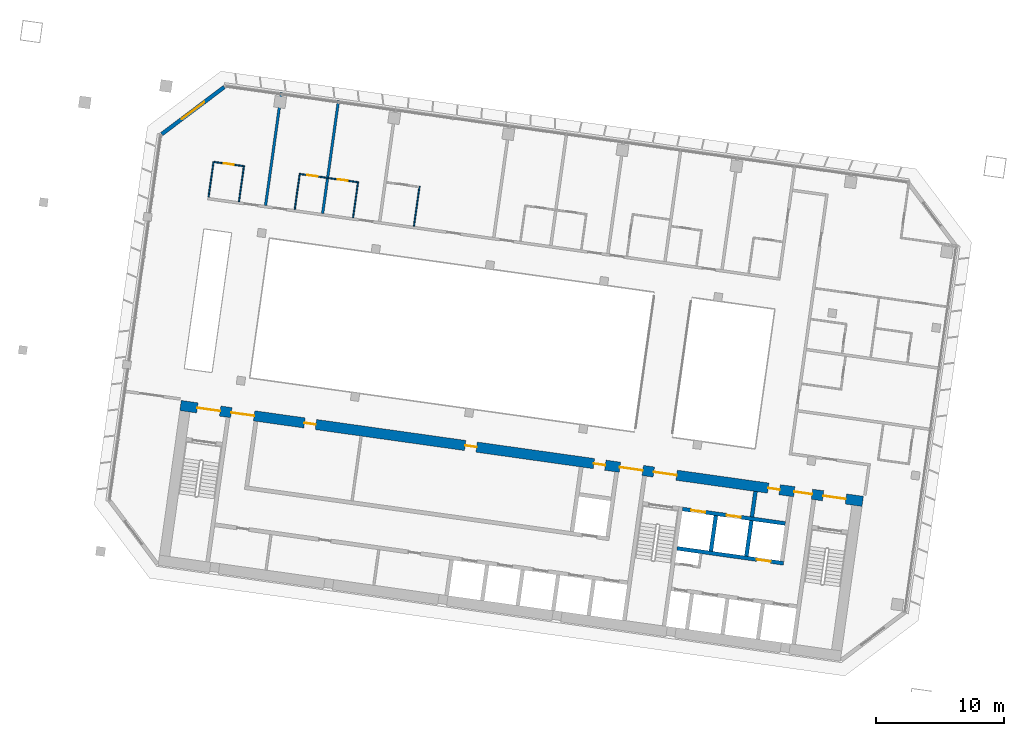
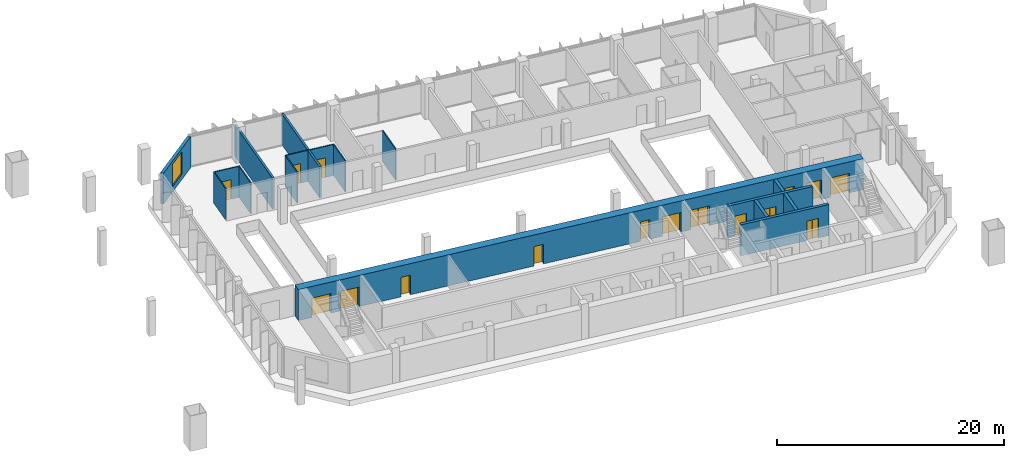
# One storey, part 17 of 26: 16 doors, 16 walls, 1 window, 17 openings.
"""IFC4 building model written with IfcOpenShell, lengths in metres."""

from ifc_helpers import new_model, si_unit, direction, frame, frame_2d, origin, place, context, subcontext, project, spatial, rectangle, extrude, material, layer, layer_set, type_object, element, fill, save


model = new_model("IFC4")

# Units and contexts
model_context = context("Model", 3, precision=1e-05, world=origin(), true_north=direction((0.0, 1.0)))
body_context = subcontext(model_context, "Body", "Model", "MODEL_VIEW")
ifc_project = project(units=[si_unit("LENGTHUNIT", "METRE"), si_unit("AREAUNIT", "SQUARE_METRE"), si_unit("VOLUMEUNIT", "CUBIC_METRE"), si_unit("PLANEANGLEUNIT", "RADIAN"), si_unit("MASSUNIT", "GRAM", prefix="KILO")], contexts=[model_context])

# Site, building, storey
site_placement = place(None, origin())
site = spatial("IfcSite", under=ifc_project, at=site_placement, CompositionType="ELEMENT")
building_placement = place(site_placement, origin())
building = spatial("IfcBuilding", under=site, at=building_placement, Name="Mirante Cascada Hotel Towers", CompositionType="ELEMENT")
storey_placement = place(building_placement, frame((0.0, 0.0, 98.7)))
storey = spatial("IfcBuildingStorey", under=building, at=storey_placement, Name="L21", CompositionType="ELEMENT", Elevation=98.7)

# Walls
ifc_material_1 = material(Name="Fire-rated plasterboard on metal studs")
ifc_layer_1 = layer(ifc_material_1, 0.2)
ifc_layer_set_1 = layer_set([ifc_layer_1], Name="Compartment wall 200 EI 120")
wall_type_1 = type_object("IfcWallType", Name="Compartment wall 200 EI 120", PredefinedType="PARTITIONING", material=ifc_layer_set_1)
wall_1_placement = place(storey_placement, frame((-76.374, 23.7042, 0.0), z_axis=(0.0, 0.0, 1.0), x_axis=(-0.1391684, -0.9902687, 0.0)))
element("IfcWall", 1, at=wall_1_placement, inside=storey, type_object=wall_type_1, Name="Wall 1-L21-43", PredefinedType="PARTITIONING", context=body_context, shape_type="SweptSolid", body=[
    extrude(rectangle(XDim=8.9, YDim=0.2, at=frame_2d((4.45, 0.0))), origin(), (0.0, 0.0, 1.0), 3.35),
])
wall_2_placement = place(storey_placement, frame((-80.8302, 24.3304, 0.0), z_axis=(0.0, 0.0, 1.0), x_axis=(-0.13917, -0.9902685, 0.0)))
element("IfcWall", 2, at=wall_2_placement, inside=storey, type_object=wall_type_1, Name="Wall 1-L21-45", PredefinedType="PARTITIONING", context=body_context, shape_type="SweptSolid", body=[
    extrude(rectangle(XDim=8.8999, YDim=0.2, at=frame_2d((4.45, 0.0))), origin(), (0.0, 0.0, 1.0), 3.35),
])
ifc_material_2 = material(Name="Masonry block", Category="masonry")
ifc_layer_2 = layer(ifc_material_2, 0.3)
ifc_layer_set_2 = layer_set([ifc_layer_2], Name="Core wall 300 block EI 120")
wall_type_2 = type_object("IfcWallType", Name="Core wall 300 block EI 120", PredefinedType="PARTITIONING", material=ifc_layer_set_2)
wall_3_placement = place(storey_placement, frame((-44.0843, -8.8061, 0.0), z_axis=(0.0, 0.0, 1.0), x_axis=(0.1391951, 0.990265, 0.0)))
element("IfcWall", 3, at=wall_3_placement, inside=storey, type_object=wall_type_2, Name="Core wall partition T1 L21 1", PredefinedType="PARTITIONING", context=body_context, shape_type="SweptSolid", body=[
    extrude(rectangle(XDim=2.0001, YDim=0.3, at=frame_2d((1.0001, 0.0))), origin(), (0.0, 0.0, 1.0), 3.35),
])

# Wall, openings, doors
ifc_material_3 = material(Name="Plasterboard on metal studs")
ifc_layer_3 = layer(ifc_material_3, 0.1)
ifc_layer_set_3 = layer_set([ifc_layer_3], Name="Partition 100")
wall_type_3 = type_object("IfcWallType", Name="Partition 100", PredefinedType="PARTITIONING", material=ifc_layer_set_3)
wall_4_placement = place(storey_placement, frame((-74.7968, 17.3226, 0.0), z_axis=(0.0, 0.0, 1.0), x_axis=(-0.9902682, 0.139172, 0.0)))
wall_4 = element("IfcWall", 4, at=wall_4_placement, inside=storey, type_object=wall_type_3, Name="Wall 1-L21-14", PredefinedType="PARTITIONING", context=body_context, shape_type="SweptSolid", body=[
    extrude(rectangle(XDim=4.6999, YDim=0.1, at=frame_2d((2.35, 0.0))), origin(), (0.0, 0.0, 1.0), 3.35),
])
opening_1_placement = place(wall_4_placement, frame((0.85, 0.0, 0.0)))
opening_1 = element("IfcOpeningElement", 5, at=opening_1_placement, cuts=wall_4, Name="Opening D1-L21-17", PredefinedType="OPENING", context=body_context, shape_type="SweptSolid", body=[
    extrude(rectangle(XDim=0.8, YDim=2.1, at=frame_2d((0.4, 1.05))), frame((0.0, 0.05, 0.0), z_axis=(0.0, -1.0, 0.0), x_axis=(1.0, 0.0, 0.0)), (0.0, 0.0, 1.0), 0.1),
])
opening_2_placement = place(wall_4_placement, frame((3.25, 0.0, 0.0)))
opening_2 = element("IfcOpeningElement", 6, at=opening_2_placement, cuts=wall_4, Name="Opening D1-L21-18", PredefinedType="OPENING", context=body_context, shape_type="SweptSolid", body=[
    extrude(rectangle(XDim=0.8, YDim=2.1, at=frame_2d((0.4, 1.05))), frame((0.0, 0.05, 0.0), z_axis=(0.0, -1.0, 0.0), x_axis=(1.0, 0.0, 0.0)), (0.0, 0.0, 1.0), 0.1),
])
ifc_material_4 = material(Name="Timber door leaf", Category="wood")
door_type_1 = type_object("IfcDoorType", Name="Bathroom door DG4 800x2100", OperationType="SINGLE_SWING_LEFT", PredefinedType="DOOR", material=ifc_material_4)
door_1_placement = place(opening_1_placement, frame((0.8, 0.0, 0.0), z_axis=(0.0, 0.0, 1.0), x_axis=(-1.0, 0.0, 0.0)))
door_1 = element("IfcDoor", 7, at=door_1_placement, inside=storey, type_object=door_type_1, Name="Door D1-L21-17", OperationType="SINGLE_SWING_RIGHT", OverallHeight=2.1, OverallWidth=0.8, PredefinedType="DOOR", context=body_context, shape_type="SweptSolid", body=[
    extrude(rectangle(XDim=0.8, YDim=2.1, at=frame_2d((0.4, 1.05))), frame((0.0, 0.025, 0.0), z_axis=(0.0, -1.0, 0.0), x_axis=(1.0, 0.0, 0.0)), (0.0, 0.0, 1.0), 0.05),
])
fill(opening_1, door_1)
door_2_placement = place(opening_2_placement, frame((0.8, 0.0, 0.0), z_axis=(0.0, 0.0, 1.0), x_axis=(-1.0, 0.0, 0.0)))
door_2 = element("IfcDoor", 8, at=door_2_placement, inside=storey, type_object=door_type_1, Name="Door D1-L21-18", OperationType="SINGLE_SWING_RIGHT", OverallHeight=2.1, OverallWidth=0.8, PredefinedType="DOOR", context=body_context, shape_type="SweptSolid", body=[
    extrude(rectangle(XDim=0.8, YDim=2.1, at=frame_2d((0.4, 1.05))), frame((0.0, 0.025, 0.0), z_axis=(0.0, -1.0, 0.0), x_axis=(1.0, 0.0, 0.0)), (0.0, 0.0, 1.0), 0.05),
])
fill(opening_2, door_2)

# Wall, opening, door
wall_5_placement = place(storey_placement, frame((-86.0858, 18.9091, 0.0), z_axis=(0.0, 0.0, 1.0), x_axis=(0.9902678, -0.1391749, 0.0)))
wall_5 = element("IfcWall", 9, at=wall_5_placement, inside=storey, type_object=wall_type_3, Name="Wall 1-L21-15", PredefinedType="PARTITIONING", context=body_context, shape_type="SweptSolid", body=[
    extrude(rectangle(XDim=2.3, YDim=0.1, at=frame_2d((1.15, 0.0))), origin(), (0.0, 0.0, 1.0), 3.35),
])
opening_3_placement = place(wall_5_placement, frame((0.75, 0.0, 0.0)))
opening_3 = element("IfcOpeningElement", 10, at=opening_3_placement, cuts=wall_5, Name="Opening D1-L21-19", PredefinedType="OPENING", context=body_context, shape_type="SweptSolid", body=[
    extrude(rectangle(XDim=0.8, YDim=2.1, at=frame_2d((0.4, 1.05))), frame((0.0, 0.05, 0.0), z_axis=(0.0, -1.0, 0.0), x_axis=(1.0, 0.0, 0.0)), (0.0, 0.0, 1.0), 0.1),
])
door_3_placement = place(opening_3_placement, origin())
door_3 = element("IfcDoor", 11, at=door_3_placement, inside=storey, type_object=door_type_1, Name="Door D1-L21-19", OperationType="SINGLE_SWING_LEFT", OverallHeight=2.1, OverallWidth=0.8, PredefinedType="DOOR", context=body_context, shape_type="SweptSolid", body=[
    extrude(rectangle(XDim=0.8, YDim=2.1, at=frame_2d((0.4, 1.05))), frame((0.0, 0.025, 0.0), z_axis=(0.0, -1.0, 0.0), x_axis=(1.0, 0.0, 0.0)), (0.0, 0.0, 1.0), 0.05),
])
fill(opening_3, door_3)

# Walls
wall_6_placement = place(storey_placement, frame((-70.4827, 13.8887, 0.0), z_axis=(0.0, 0.0, 1.0), x_axis=(0.1391721, 0.9902682, 0.0)))
element("IfcWall", 12, at=wall_6_placement, inside=storey, type_object=wall_type_3, Name="Wall 1-L21-40", PredefinedType="PARTITIONING", context=body_context, shape_type="SweptSolid", body=[
    extrude(rectangle(XDim=3.1501, YDim=0.1, at=frame_2d((1.575, 0.0))), origin(), (0.0, 0.0, 1.0), 3.35),
])
for number, where, z_axis, x_axis, name in (
    (13, (-75.236, 14.5568, 0.0), (0.0, 0.0, 1.0), (0.1391657, 0.9902691, 0.0), "Wall 1-L21-42"),
    (14, (-79.7912, 15.197, 0.0), (0.0, 0.0, 1.0), (0.1391657, 0.9902691, 0.0), "Wall 1-L21-44"),
):
    element("IfcWall", number, at=place(storey_placement, frame(where, z_axis=z_axis, x_axis=x_axis)), inside=storey, type_object=wall_type_3, Name=name, PredefinedType="PARTITIONING", context=body_context, shape_type="SweptSolid", body=[
        extrude(rectangle(XDim=2.75, YDim=0.1, at=frame_2d((1.375, 0.0))), origin(), (0.0, 0.0, 1.0), 3.35),
    ])
wall_7_placement = place(storey_placement, frame((-84.1484, 15.8093, 0.0), z_axis=(0.0, 0.0, 1.0), x_axis=(0.1391909, 0.9902656, 0.0)))
element("IfcWall", 15, at=wall_7_placement, inside=storey, type_object=wall_type_3, Name="Wall 1-L21-46", PredefinedType="PARTITIONING", context=body_context, shape_type="SweptSolid", body=[
    extrude(rectangle(XDim=2.85, YDim=0.1, at=frame_2d((1.425, 0.0))), origin(), (0.0, 0.0, 1.0), 3.35),
])
wall_8_placement = place(storey_placement, frame((-86.1326, 18.9359, 0.0), z_axis=(0.0, 0.0, 1.0), x_axis=(-0.139173, -0.9902681, 0.0)))
element("IfcWall", 16, at=wall_8_placement, inside=storey, type_object=wall_type_3, Name="Wall 1-L21-47", PredefinedType="PARTITIONING", context=body_context, shape_type="SweptSolid", body=[
    extrude(rectangle(XDim=2.7901, YDim=0.1, at=frame_2d((1.395, 0.0))), origin(), (0.0, 0.0, 1.0), 3.35),
])

# Wall, opening, window
ifc_material_5 = material(Name="Precast concrete C40/50", Category="concrete")
ifc_layer_4 = layer(ifc_material_5, 0.3)
ifc_layer_set_4 = layer_set([ifc_layer_4], Name="Precast concrete C40/50 cladding wall 300")
wall_type_4 = type_object("IfcWallType", Name="Precast concrete C40/50 cladding wall 300", PredefinedType="STANDARD", material=ifc_layer_set_4)
wall_9_placement = place(storey_placement, frame((-90.1795, 21.0817, 0.0), z_axis=(0.0, 0.0, 1.0), x_axis=(0.7986362, 0.6018141, 0.0)))
wall_9 = element("IfcWall", 17, at=wall_9_placement, inside=storey, type_object=wall_type_4, Name="Corner cladding wall T1 L21 outer front", PredefinedType="STANDARD", context=body_context, shape_type="SweptSolid", body=[
    extrude(rectangle(XDim=6.1157, YDim=0.3, at=frame_2d((3.0578, 0.0))), origin(), (0.0, 0.0, 1.0), 3.35),
])
opening_4_placement = place(wall_9_placement, frame((1.9578, 0.0, 0.6)))
opening_4 = element("IfcOpeningElement", 18, at=opening_4_placement, cuts=wall_9, Name="Opening W1-21-02", PredefinedType="OPENING", context=body_context, shape_type="SweptSolid", body=[
    extrude(rectangle(XDim=2.2, YDim=2.4, at=frame_2d((1.1, 1.2))), frame((0.0, 0.15, 0.0), z_axis=(0.0, -1.0, 0.0), x_axis=(1.0, 0.0, 0.0)), (0.0, 0.0, 1.0), 0.3),
])
ifc_material_6 = material(Name="Aluminium frame with clear double glazing", Category="aluminium")
window_type = type_object("IfcWindowType", Name="Corner suite window 2200x2400", PartitioningType="DOUBLE_PANEL_VERTICAL", PredefinedType="WINDOW", material=ifc_material_6)
window_placement = place(opening_4_placement, origin())
window = element("IfcWindow", 19, at=window_placement, inside=storey, type_object=window_type, Name="Window W1-21-02", OverallHeight=2.4, OverallWidth=2.2, PartitioningType="SINGLE_PANEL", PredefinedType="WINDOW", context=body_context, shape_type="SweptSolid", body=[
    extrude(rectangle(XDim=2.2, YDim=2.4, at=frame_2d((1.1, 1.2))), frame((0.0, 0.03, 0.0), z_axis=(0.0, -1.0, 0.0), x_axis=(1.0, 0.0, 0.0)), (0.0, 0.0, 1.0), 0.06),
])
fill(opening_4, window)

# Wall, opening, door
ifc_material_7 = material(Name="Concrete C50/60", Category="concrete")
ifc_layer_5 = layer(ifc_material_7, 0.3)
ifc_layer_set_5 = layer_set([ifc_layer_5], Name="RC core wall 300 C50/60")
wall_type_5 = type_object("IfcWallType", Name="RC core wall 300 C50/60", PredefinedType="SHEAR", material=ifc_layer_set_5)
wall_10_placement = place(storey_placement, frame((-41.6153, -12.435, 0.0), z_axis=(0.0, 0.0, 1.0), x_axis=(-0.9902691, 0.139166, 0.0)))
wall_10 = element("IfcWall", 20, at=wall_10_placement, inside=storey, type_object=wall_type_5, Name="Core wall T1:L21:13", PredefinedType="SHEAR", context=body_context, shape_type="SweptSolid", body=[
    extrude(rectangle(XDim=8.4, YDim=0.3, at=frame_2d((4.2, 0.0))), origin(), (0.0, 0.0, 1.0), 3.35),
])
opening_5_placement = place(wall_10_placement, frame((1.0, 0.0, 0.0)))
opening_5 = element("IfcOpeningElement", 21, at=opening_5_placement, cuts=wall_10, Name="Opening LD", PredefinedType="OPENING", context=body_context, shape_type="SweptSolid", body=[
    extrude(rectangle(XDim=1.1, YDim=2.1, at=frame_2d((0.55, 1.05))), frame((0.0, 0.15, 0.0), z_axis=(0.0, -1.0, 0.0), x_axis=(1.0, 0.0, 0.0)), (0.0, 0.0, 1.0), 0.3),
])
ifc_material_8 = material(Name="Stainless steel", Category="steel")
door_type_2 = type_object("IfcDoorType", Name="Lift landing door 1100x2100 EI 120", OperationType="DOUBLE_DOOR_SLIDING", PredefinedType="DOOR", material=ifc_material_8)
door_4_placement = place(opening_5_placement, origin())
door_4 = element("IfcDoor", 22, at=door_4_placement, inside=storey, type_object=door_type_2, Name="Lift landing door HR1-4 L21", OperationType="DOUBLE_DOOR_SLIDING", OverallHeight=2.1, OverallWidth=1.1, PredefinedType="DOOR", context=body_context, shape_type="SweptSolid", body=[
    extrude(rectangle(XDim=0.545, YDim=2.1, at=frame_2d((0.2725, 1.05))), frame((0.0, 0.025, 0.0), z_axis=(0.0, -1.0, 0.0), x_axis=(1.0, 0.0, 0.0)), (0.0, 0.0, 1.0), 0.05),
    extrude(rectangle(XDim=0.545, YDim=2.1, at=frame_2d((0.8275, 1.05))), frame((0.0, 0.025, 0.0), z_axis=(0.0, -1.0, 0.0), x_axis=(1.0, 0.0, 0.0)), (0.0, 0.0, 1.0), 0.05),
])
fill(opening_5, door_4)

# Wall, openings, doors
wall_11_placement = place(storey_placement, frame((-41.481, -9.3234, 0.0), z_axis=(0.0, 0.0, 1.0), x_axis=(-0.9902679, 0.1391741, 0.0)))
wall_11 = element("IfcWall", 23, at=wall_11_placement, inside=storey, type_object=wall_type_5, Name="Core wall T1:L21:14", PredefinedType="SHEAR", context=body_context, shape_type="SweptSolid", body=[
    extrude(rectangle(XDim=8.0999, YDim=0.3, at=frame_2d((4.05, 0.0))), origin(), (0.0, 0.0, 1.0), 3.35),
])
opening_6_placement = place(wall_11_placement, frame((3.5, 0.0, 0.0)))
opening_6 = element("IfcOpeningElement", 24, at=opening_6_placement, cuts=wall_11, Name="Opening LD", PredefinedType="OPENING", context=body_context, shape_type="SweptSolid", body=[
    extrude(rectangle(XDim=1.1, YDim=2.1, at=frame_2d((0.55, 1.05))), frame((0.0, 0.15, 0.0), z_axis=(0.0, -1.0, 0.0), x_axis=(1.0, 0.0, 0.0)), (0.0, 0.0, 1.0), 0.3),
])
opening_7_placement = place(wall_11_placement, frame((6.3, 0.0, 0.0)))
opening_7 = element("IfcOpeningElement", 25, at=opening_7_placement, cuts=wall_11, Name="Opening LD", PredefinedType="OPENING", context=body_context, shape_type="SweptSolid", body=[
    extrude(rectangle(XDim=1.1, YDim=2.1, at=frame_2d((0.55, 1.05))), frame((0.0, 0.15, 0.0), z_axis=(0.0, -1.0, 0.0), x_axis=(1.0, 0.0, 0.0)), (0.0, 0.0, 1.0), 0.3),
])
door_5_placement = place(opening_6_placement, origin())
door_5 = element("IfcDoor", 26, at=door_5_placement, inside=storey, type_object=door_type_2, Name="Lift landing door FF1 L21", OperationType="DOUBLE_DOOR_SLIDING", OverallHeight=2.1, OverallWidth=1.1, PredefinedType="DOOR", context=body_context, shape_type="SweptSolid", body=[
    extrude(rectangle(XDim=0.545, YDim=2.1, at=frame_2d((0.2725, 1.05))), frame((0.0, 0.025, 0.0), z_axis=(0.0, -1.0, 0.0), x_axis=(1.0, 0.0, 0.0)), (0.0, 0.0, 1.0), 0.05),
    extrude(rectangle(XDim=0.545, YDim=2.1, at=frame_2d((0.8275, 1.05))), frame((0.0, 0.025, 0.0), z_axis=(0.0, -1.0, 0.0), x_axis=(1.0, 0.0, 0.0)), (0.0, 0.0, 1.0), 0.05),
])
fill(opening_6, door_5)
door_6_placement = place(opening_7_placement, origin())
door_6 = element("IfcDoor", 27, at=door_6_placement, inside=storey, type_object=door_type_2, Name="Lift landing door FF2 L21", OperationType="DOUBLE_DOOR_SLIDING", OverallHeight=2.1, OverallWidth=1.1, PredefinedType="DOOR", context=body_context, shape_type="SweptSolid", body=[
    extrude(rectangle(XDim=0.545, YDim=2.1, at=frame_2d((0.2725, 1.05))), frame((0.0, 0.025, 0.0), z_axis=(0.0, -1.0, 0.0), x_axis=(1.0, 0.0, 0.0)), (0.0, 0.0, 1.0), 0.05),
    extrude(rectangle(XDim=0.545, YDim=2.1, at=frame_2d((0.8275, 1.05))), frame((0.0, 0.025, 0.0), z_axis=(0.0, -1.0, 0.0), x_axis=(1.0, 0.0, 0.0)), (0.0, 0.0, 1.0), 0.05),
])
fill(opening_7, door_6)

# Walls
for number, where, z_axis, x_axis, name in (
    (28, (-44.5157, -11.8759, 0.0), (0.0, 0.0, 1.0), (0.139181, 0.990267, 0.0), "Core wall T1:L21:18"),
    (29, (-47.2885, -11.4862, 0.0), (0.0, 0.0, 1.0), (0.139181, 0.990267, 0.0), "Core wall T1:L21:19"),
):
    element("IfcWall", number, at=place(storey_placement, frame(where, z_axis=z_axis, x_axis=x_axis)), inside=storey, type_object=wall_type_5, Name=name, PredefinedType="SHEAR", context=body_context, shape_type="SweptSolid", body=[
        extrude(rectangle(XDim=2.8, YDim=0.3, at=frame_2d((1.4, 0.0))), origin(), (0.0, 0.0, 1.0), 3.35),
    ])

# Wall, openings, doors
ifc_material_9 = material(Name="Concrete C50/60", Category="concrete")
ifc_layer_6 = layer(ifc_material_9, 0.8)
ifc_layer_set_6 = layer_set([ifc_layer_6], Name="RC core wall 800 C50/60")
wall_type_6 = type_object("IfcWallType", Name="RC core wall 800 C50/60", PredefinedType="SHEAR", material=ifc_layer_set_6)
wall_12_placement = place(storey_placement, frame((-35.432, -7.5985, 0.0), z_axis=(0.0, 0.0, 1.0), x_axis=(-0.9902681, 0.1391729, 0.0)))
wall_12 = element("IfcWall", 30, at=wall_12_placement, inside=storey, type_object=wall_type_6, Name="Core wall T1:L21:2", PredefinedType="SHEAR", context=body_context, shape_type="SweptSolid", body=[
    extrude(rectangle(XDim=53.8, YDim=0.8, at=frame_2d((26.9, 0.0))), origin(), (0.0, 0.0, 1.0), 3.35),
])
opening_8_placement = place(wall_12_placement, frame((1.325, 0.0, 0.0)))
opening_8 = element("IfcOpeningElement", 31, at=opening_8_placement, cuts=wall_12, Name="Opening D1-21-C14", PredefinedType="OPENING", context=body_context, shape_type="SweptSolid", body=[
    extrude(rectangle(XDim=1.8, YDim=2.1, at=frame_2d((0.9, 1.05))), frame((0.0, 0.4, 0.0), z_axis=(0.0, -1.0, 0.0), x_axis=(1.0, 0.0, 0.0)), (0.0, 0.0, 1.0), 0.8),
])
opening_9_placement = place(wall_12_placement, frame((14.675, 0.0, 0.0)))
opening_9 = element("IfcOpeningElement", 32, at=opening_9_placement, cuts=wall_12, Name="Opening D1-21-C16", PredefinedType="OPENING", context=body_context, shape_type="SweptSolid", body=[
    extrude(rectangle(XDim=1.8, YDim=2.1, at=frame_2d((0.9, 1.05))), frame((0.0, 0.4, 0.0), z_axis=(0.0, -1.0, 0.0), x_axis=(1.0, 0.0, 0.0)), (0.0, 0.0, 1.0), 0.8),
])
opening_10_placement = place(wall_12_placement, frame((50.675, 0.0, 0.0)))
opening_10 = element("IfcOpeningElement", 33, at=opening_10_placement, cuts=wall_12, Name="Opening D1-21-C18", PredefinedType="OPENING", context=body_context, shape_type="SweptSolid", body=[
    extrude(rectangle(XDim=1.8, YDim=2.1, at=frame_2d((0.9, 1.05))), frame((0.0, 0.4, 0.0), z_axis=(0.0, -1.0, 0.0), x_axis=(1.0, 0.0, 0.0)), (0.0, 0.0, 1.0), 0.8),
])
opening_11_placement = place(wall_12_placement, frame((4.0, 0.0, 0.0)))
opening_11 = element("IfcOpeningElement", 34, at=opening_11_placement, cuts=wall_12, Name="Opening D1-21-C19", PredefinedType="OPENING", context=body_context, shape_type="SweptSolid", body=[
    extrude(rectangle(XDim=1.4, YDim=2.1, at=frame_2d((0.7, 1.05))), frame((0.0, 0.4, 0.0), z_axis=(0.0, -1.0, 0.0), x_axis=(1.0, 0.0, 0.0)), (0.0, 0.0, 1.0), 0.8),
])
opening_12_placement = place(wall_12_placement, frame((17.35, 0.0, 0.0)))
opening_12 = element("IfcOpeningElement", 35, at=opening_12_placement, cuts=wall_12, Name="Opening D1-21-C20", PredefinedType="OPENING", context=body_context, shape_type="SweptSolid", body=[
    extrude(rectangle(XDim=1.8, YDim=2.1, at=frame_2d((0.9, 1.05))), frame((0.0, 0.4, 0.0), z_axis=(0.0, -1.0, 0.0), x_axis=(1.0, 0.0, 0.0)), (0.0, 0.0, 1.0), 0.8),
])
opening_13_placement = place(wall_12_placement, frame((48.0, 0.0, 0.0)))
opening_13 = element("IfcOpeningElement", 36, at=opening_13_placement, cuts=wall_12, Name="Opening D1-21-C21", PredefinedType="OPENING", context=body_context, shape_type="SweptSolid", body=[
    extrude(rectangle(XDim=1.8, YDim=2.1, at=frame_2d((0.9, 1.05))), frame((0.0, 0.4, 0.0), z_axis=(0.0, -1.0, 0.0), x_axis=(1.0, 0.0, 0.0)), (0.0, 0.0, 1.0), 0.8),
])
opening_14_placement = place(wall_12_placement, frame((6.55, 0.0, 0.0)))
opening_14 = element("IfcOpeningElement", 37, at=opening_14_placement, cuts=wall_12, Name="Opening D1-21-C24", PredefinedType="OPENING", context=body_context, shape_type="SweptSolid", body=[
    extrude(rectangle(XDim=0.9, YDim=2.1, at=frame_2d((0.45, 1.05))), frame((0.0, 0.4, 0.0), z_axis=(0.0, -1.0, 0.0), x_axis=(1.0, 0.0, 0.0)), (0.0, 0.0, 1.0), 0.8),
])
opening_15_placement = place(wall_12_placement, frame((20.3, 0.0, 0.0)))
opening_15 = element("IfcOpeningElement", 38, at=opening_15_placement, cuts=wall_12, Name="Opening D1-21-C28", PredefinedType="OPENING", context=body_context, shape_type="SweptSolid", body=[
    extrude(rectangle(XDim=0.9, YDim=2.1, at=frame_2d((0.45, 1.05))), frame((0.0, 0.4, 0.0), z_axis=(0.0, -1.0, 0.0), x_axis=(1.0, 0.0, 0.0)), (0.0, 0.0, 1.0), 0.8),
])
opening_16_placement = place(wall_12_placement, frame((30.45, 0.0, 0.0)))
opening_16 = element("IfcOpeningElement", 39, at=opening_16_placement, cuts=wall_12, Name="Opening D1-21-C29", PredefinedType="OPENING", context=body_context, shape_type="SweptSolid", body=[
    extrude(rectangle(XDim=0.9, YDim=2.1, at=frame_2d((0.45, 1.05))), frame((0.0, 0.4, 0.0), z_axis=(0.0, -1.0, 0.0), x_axis=(1.0, 0.0, 0.0)), (0.0, 0.0, 1.0), 0.8),
])
opening_17_placement = place(wall_12_placement, frame((43.125, 0.0, 0.0)))
opening_17 = element("IfcOpeningElement", 40, at=opening_17_placement, cuts=wall_12, Name="Opening D1-21-C30", PredefinedType="OPENING", context=body_context, shape_type="SweptSolid", body=[
    extrude(rectangle(XDim=0.9, YDim=2.1, at=frame_2d((0.45, 1.05))), frame((0.0, 0.4, 0.0), z_axis=(0.0, -1.0, 0.0), x_axis=(1.0, 0.0, 0.0)), (0.0, 0.0, 1.0), 0.8),
])
ifc_material_10 = material(Name="Hollow metal fire door leaf")
door_type_3 = type_object("IfcDoorType", Name="Double fire door 1400x2100 FD60", OperationType="DOUBLE_DOOR_SINGLE_SWING", PredefinedType="DOOR", material=ifc_material_10)
door_7_placement = place(opening_11_placement, frame((1.4, 0.0, 0.0), z_axis=(0.0, 0.0, 1.0), x_axis=(-1.0, 0.0, 0.0)))
door_7 = element("IfcDoor", 41, at=door_7_placement, inside=storey, type_object=door_type_3, Name="Exit door to gallery T1 L21 19", OperationType="DOUBLE_DOOR_SINGLE_SWING", OverallHeight=2.1, OverallWidth=1.4, PredefinedType="DOOR", context=body_context, shape_type="SweptSolid", body=[
    extrude(rectangle(XDim=0.695, YDim=2.1, at=frame_2d((0.3475, 1.05))), frame((0.0, 0.025, 0.0), z_axis=(0.0, -1.0, 0.0), x_axis=(1.0, 0.0, 0.0)), (0.0, 0.0, 1.0), 0.05),
    extrude(rectangle(XDim=0.695, YDim=2.1, at=frame_2d((1.0525, 1.05))), frame((0.0, 0.025, 0.0), z_axis=(0.0, -1.0, 0.0), x_axis=(1.0, 0.0, 0.0)), (0.0, 0.0, 1.0), 0.05),
])
fill(opening_11, door_7)
ifc_material_11 = material(Name="Hollow metal fire door leaf")
door_type_4 = type_object("IfcDoorType", Name="Double fire door 1800x2100 FD60", OperationType="DOUBLE_DOOR_SINGLE_SWING", PredefinedType="DOOR", material=ifc_material_11)
door_8_placement = place(opening_8_placement, origin())
door_8 = element("IfcDoor", 42, at=door_8_placement, inside=storey, type_object=door_type_4, Name="Exit door to gallery T1 L21 14", OperationType="DOUBLE_DOOR_SINGLE_SWING", OverallHeight=2.1, OverallWidth=1.8, PredefinedType="DOOR", context=body_context, shape_type="SweptSolid", body=[
    extrude(rectangle(XDim=0.895, YDim=2.1, at=frame_2d((0.4475, 1.05))), frame((0.0, 0.025, 0.0), z_axis=(0.0, -1.0, 0.0), x_axis=(1.0, 0.0, 0.0)), (0.0, 0.0, 1.0), 0.05),
    extrude(rectangle(XDim=0.895, YDim=2.1, at=frame_2d((1.3525, 1.05))), frame((0.0, 0.025, 0.0), z_axis=(0.0, -1.0, 0.0), x_axis=(1.0, 0.0, 0.0)), (0.0, 0.0, 1.0), 0.05),
])
fill(opening_8, door_8)
door_9_placement = place(opening_9_placement, origin())
door_9 = element("IfcDoor", 43, at=door_9_placement, inside=storey, type_object=door_type_4, Name="Exit door to gallery T1 L21 16", OperationType="DOUBLE_DOOR_SINGLE_SWING", OverallHeight=2.1, OverallWidth=1.8, PredefinedType="DOOR", context=body_context, shape_type="SweptSolid", body=[
    extrude(rectangle(XDim=0.895, YDim=2.1, at=frame_2d((0.4475, 1.05))), frame((0.0, 0.025, 0.0), z_axis=(0.0, -1.0, 0.0), x_axis=(1.0, 0.0, 0.0)), (0.0, 0.0, 1.0), 0.05),
    extrude(rectangle(XDim=0.895, YDim=2.1, at=frame_2d((1.3525, 1.05))), frame((0.0, 0.025, 0.0), z_axis=(0.0, -1.0, 0.0), x_axis=(1.0, 0.0, 0.0)), (0.0, 0.0, 1.0), 0.05),
])
fill(opening_9, door_9)
door_10_placement = place(opening_10_placement, origin())
door_10 = element("IfcDoor", 44, at=door_10_placement, inside=storey, type_object=door_type_4, Name="Exit door to gallery T1 L21 18", OperationType="DOUBLE_DOOR_SINGLE_SWING", OverallHeight=2.1, OverallWidth=1.8, PredefinedType="DOOR", context=body_context, shape_type="SweptSolid", body=[
    extrude(rectangle(XDim=0.895, YDim=2.1, at=frame_2d((0.4475, 1.05))), frame((0.0, 0.025, 0.0), z_axis=(0.0, -1.0, 0.0), x_axis=(1.0, 0.0, 0.0)), (0.0, 0.0, 1.0), 0.05),
    extrude(rectangle(XDim=0.895, YDim=2.1, at=frame_2d((1.3525, 1.05))), frame((0.0, 0.025, 0.0), z_axis=(0.0, -1.0, 0.0), x_axis=(1.0, 0.0, 0.0)), (0.0, 0.0, 1.0), 0.05),
])
fill(opening_10, door_10)
door_11_placement = place(opening_12_placement, frame((1.8, 0.0, 0.0), z_axis=(0.0, 0.0, 1.0), x_axis=(-1.0, 0.0, 0.0)))
door_11 = element("IfcDoor", 45, at=door_11_placement, inside=storey, type_object=door_type_4, Name="Exit door to gallery T1 L21 20", OperationType="DOUBLE_DOOR_SINGLE_SWING", OverallHeight=2.1, OverallWidth=1.8, PredefinedType="DOOR", context=body_context, shape_type="SweptSolid", body=[
    extrude(rectangle(XDim=0.895, YDim=2.1, at=frame_2d((0.4475, 1.05))), frame((0.0, 0.025, 0.0), z_axis=(0.0, -1.0, 0.0), x_axis=(1.0, 0.0, 0.0)), (0.0, 0.0, 1.0), 0.05),
    extrude(rectangle(XDim=0.895, YDim=2.1, at=frame_2d((1.3525, 1.05))), frame((0.0, 0.025, 0.0), z_axis=(0.0, -1.0, 0.0), x_axis=(1.0, 0.0, 0.0)), (0.0, 0.0, 1.0), 0.05),
])
fill(opening_12, door_11)
door_12_placement = place(opening_13_placement, frame((1.8, 0.0, 0.0), z_axis=(0.0, 0.0, 1.0), x_axis=(-1.0, 0.0, 0.0)))
door_12 = element("IfcDoor", 46, at=door_12_placement, inside=storey, type_object=door_type_4, Name="Exit door to gallery T1 L21 21", OperationType="DOUBLE_DOOR_SINGLE_SWING", OverallHeight=2.1, OverallWidth=1.8, PredefinedType="DOOR", context=body_context, shape_type="SweptSolid", body=[
    extrude(rectangle(XDim=0.895, YDim=2.1, at=frame_2d((0.4475, 1.05))), frame((0.0, 0.025, 0.0), z_axis=(0.0, -1.0, 0.0), x_axis=(1.0, 0.0, 0.0)), (0.0, 0.0, 1.0), 0.05),
    extrude(rectangle(XDim=0.895, YDim=2.1, at=frame_2d((1.3525, 1.05))), frame((0.0, 0.025, 0.0), z_axis=(0.0, -1.0, 0.0), x_axis=(1.0, 0.0, 0.0)), (0.0, 0.0, 1.0), 0.05),
])
fill(opening_13, door_12)
ifc_material_12 = material(Name="Hollow metal fire door leaf")
door_type_5 = type_object("IfcDoorType", Name="Fire door 900x2100 FD60", OperationType="NOTDEFINED", PredefinedType="DOOR", material=ifc_material_12)
door_13_placement = place(opening_14_placement, origin())
door_13 = element("IfcDoor", 47, at=door_13_placement, inside=storey, type_object=door_type_5, Name="Room door T1 L21 24", OperationType="SINGLE_SWING_RIGHT", OverallHeight=2.1, OverallWidth=0.9, PredefinedType="DOOR", context=body_context, shape_type="SweptSolid", body=[
    extrude(rectangle(XDim=0.9, YDim=2.1, at=frame_2d((0.45, 1.05))), frame((0.0, 0.025, 0.0), z_axis=(0.0, -1.0, 0.0), x_axis=(1.0, 0.0, 0.0)), (0.0, 0.0, 1.0), 0.05),
])
fill(opening_14, door_13)
door_14_placement = place(opening_15_placement, origin())
door_14 = element("IfcDoor", 48, at=door_14_placement, inside=storey, type_object=door_type_5, Name="Room door T1 L21 28", OperationType="SINGLE_SWING_RIGHT", OverallHeight=2.1, OverallWidth=0.9, PredefinedType="DOOR", context=body_context, shape_type="SweptSolid", body=[
    extrude(rectangle(XDim=0.9, YDim=2.1, at=frame_2d((0.45, 1.05))), frame((0.0, 0.025, 0.0), z_axis=(0.0, -1.0, 0.0), x_axis=(1.0, 0.0, 0.0)), (0.0, 0.0, 1.0), 0.05),
])
fill(opening_15, door_14)
door_15_placement = place(opening_16_placement, origin())
door_15 = element("IfcDoor", 49, at=door_15_placement, inside=storey, type_object=door_type_5, Name="Room door T1 L21 29", OperationType="SINGLE_SWING_LEFT", OverallHeight=2.1, OverallWidth=0.9, PredefinedType="DOOR", context=body_context, shape_type="SweptSolid", body=[
    extrude(rectangle(XDim=0.9, YDim=2.1, at=frame_2d((0.45, 1.05))), frame((0.0, 0.025, 0.0), z_axis=(0.0, -1.0, 0.0), x_axis=(1.0, 0.0, 0.0)), (0.0, 0.0, 1.0), 0.05),
])
fill(opening_16, door_15)
door_16_placement = place(opening_17_placement, origin())
door_16 = element("IfcDoor", 50, at=door_16_placement, inside=storey, type_object=door_type_5, Name="Room door T1 L21 30", OperationType="SINGLE_SWING_LEFT", OverallHeight=2.1, OverallWidth=0.9, PredefinedType="DOOR", context=body_context, shape_type="SweptSolid", body=[
    extrude(rectangle(XDim=0.9, YDim=2.1, at=frame_2d((0.45, 1.05))), frame((0.0, 0.025, 0.0), z_axis=(0.0, -1.0, 0.0), x_axis=(1.0, 0.0, 0.0)), (0.0, 0.0, 1.0), 0.05),
])
fill(opening_17, door_16)

save(model, "model.ifc")
